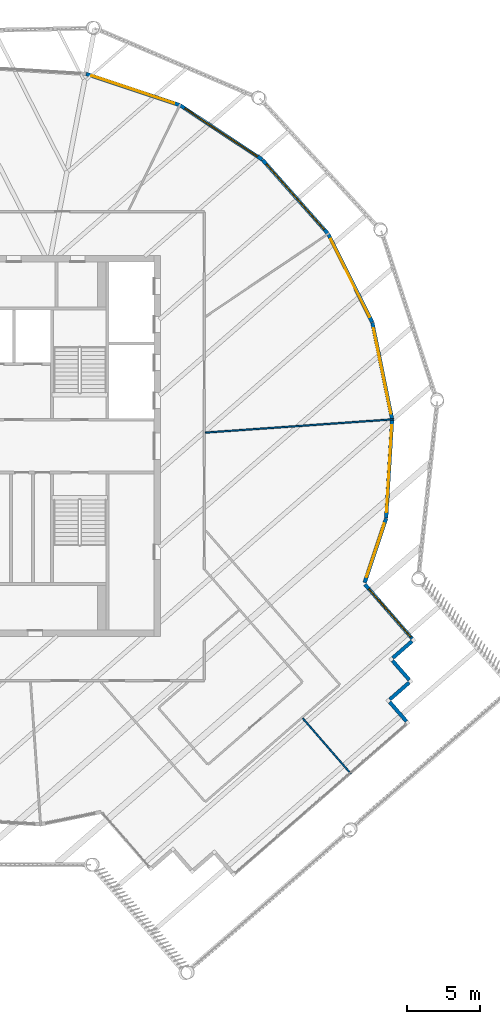
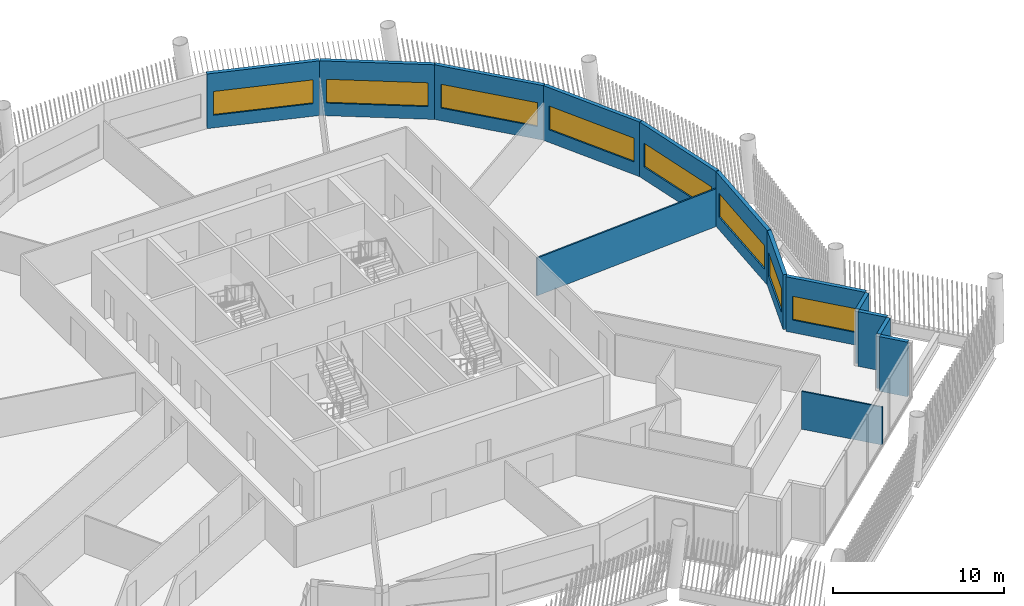
# One storey, part 21 of 28: 14 walls, 8 windows, 8 openings.
"""IFC4 building model written with IfcOpenShell, lengths in metres."""

from ifc_helpers import new_model, si_unit, direction, frame, frame_2d, origin, place, context, subcontext, project, spatial, rectangle, extrude, material, layer, layer_set, type_object, element, fill, save


model = new_model("IFC4")

# Units and contexts
model_context = context("Model", 3, precision=1e-05, world=origin(), true_north=direction((0.0, 1.0)))
body_context = subcontext(model_context, "Body", "Model", "MODEL_VIEW")
ifc_project = project(units=[si_unit("LENGTHUNIT", "METRE"), si_unit("AREAUNIT", "SQUARE_METRE"), si_unit("VOLUMEUNIT", "CUBIC_METRE"), si_unit("PLANEANGLEUNIT", "RADIAN"), si_unit("MASSUNIT", "GRAM", prefix="KILO")], contexts=[model_context])

# Site, building, storey
site_placement = place(None, origin())
site = spatial("IfcSite", under=ifc_project, at=site_placement, CompositionType="ELEMENT")
building_placement = place(site_placement, origin())
building = spatial("IfcBuilding", under=site, at=building_placement, Name="Tarsis Ring Headquarters", CompositionType="ELEMENT")
storey_placement = place(building_placement, frame((0.0, 0.0, 394.39990234375)))
storey = spatial("IfcBuildingStorey", under=building, at=storey_placement, Name="L93", CompositionType="ELEMENT", Elevation=394.39990234375)

# Walls
ifc_material_1 = material(Name="Gypsum board on steel studs", Category="steel")
ifc_layer_1 = layer(ifc_material_1, 0.10009765625)
ifc_layer_set_1 = layer_set([ifc_layer_1], Name="FL partition 100 unrated")
wall_type_1 = type_object("IfcWallType", Name="FL partition 100 unrated", PredefinedType="PARTITIONING", material=ifc_layer_set_1)
wall_1_placement = place(storey_placement, frame((13.06982421875, 0.923095703125, 0.0), z_axis=(0.0, 0.0, 1.0), x_axis=(0.997514921637, 0.07045552577, 0.0)))
element("IfcWall", 1, at=wall_1_placement, inside=storey, type_object=wall_type_1, Name="Partition PW3", PredefinedType="PARTITIONING", context=body_context, shape_type="SweptSolid", body=[
    extrude(rectangle(XDim=12.845458984375, YDim=0.10009765625, at=frame_2d((6.4228515625, 0.0))), origin(), (0.0, 0.0, 1.0), 2.7001953125),
])
wall_2_placement = place(storey_placement, frame((19.708740234375, -18.573974609375, 0.0), z_axis=(0.0, 0.0, 1.0), x_axis=(0.656590843526, -0.754246951732, 0.0)))
element("IfcWall", 2, at=wall_2_placement, inside=storey, type_object=wall_type_1, Name="Partition PW3", PredefinedType="PARTITIONING", context=body_context, shape_type="SweptSolid", body=[
    extrude(rectangle(XDim=5.0, YDim=0.10009765625, at=frame_2d((2.5, 0.0))), origin(), (0.0, 0.0, 1.0), 2.7001953125),
])
ifc_material_2 = material(Name="Terracotta clad insulated panel wall", Category="masonry")
ifc_layer_2 = layer(ifc_material_2, 0.25)
ifc_layer_set_2 = layer_set([ifc_layer_2], Name="Facade wall terracotta panel 250")
wall_type_2 = type_object("IfcWallType", Name="Facade wall terracotta panel 250", PredefinedType="STANDARD", material=ifc_layer_set_2)
for number, where, z_axis, x_axis, name in (
    (3, (26.786376953125, -18.77685546875, 0.0), (0.0, 0.0, 1.0), (-0.656665580884, 0.754181884483, 0.0), "External wall L93-12"),
    (4, (25.6494140625, -17.280517578125, 0.0), (0.0, 0.0, 1.0), (0.754311116274, 0.656517128387, 0.0), "External wall L93-13"),
    (5, (26.981689453125, -15.955078125, 0.0), (0.0, 0.0, 1.0), (-0.656665580884, 0.754181884483, 0.0), "External wall L93-14"),
):
    element("IfcWall", number, at=place(storey_placement, frame(where, z_axis=z_axis, x_axis=x_axis)), inside=storey, type_object=wall_type_2, Name=name, PredefinedType="STANDARD", context=body_context, shape_type="SweptSolid", body=[
        extrude(rectangle(XDim=1.75, YDim=0.25, at=frame_2d((0.875, 0.0))), origin(), (0.0, 0.0, 1.0), 3.900146484375),
    ])
wall_3_placement = place(storey_placement, frame((25.8447265625, -14.458984375, 0.0), z_axis=(0.0, 0.0, 1.0), x_axis=(0.754242032321, 0.656596494569, 0.0)))
element("IfcWall", 6, at=wall_3_placement, inside=storey, type_object=wall_type_2, Name="External wall L93-15", PredefinedType="STANDARD", context=body_context, shape_type="SweptSolid", body=[
    extrude(rectangle(XDim=1.750244140625, YDim=0.25, at=frame_2d((0.875, 0.0))), origin(), (0.0, 0.0, 1.0), 3.900146484375),
])

# Wall, opening, window
wall_4_placement = place(storey_placement, frame((27.177001953125, -13.133544921875, 0.0), z_axis=(0.0, 0.0, 1.0), x_axis=(-0.656576961672, 0.754259036009, 0.0)))
wall_4 = element("IfcWall", 7, at=wall_4_placement, inside=storey, type_object=wall_type_2, Name="External wall L93-16", PredefinedType="STANDARD", context=body_context, shape_type="SweptSolid", body=[
    extrude(rectangle(XDim=4.901123046875, YDim=0.25, at=frame_2d((2.45068359375, 0.0))), origin(), (0.0, 0.0, 1.0), 3.900146484375),
])
opening_1_placement = place(wall_4_placement, frame((0.150634765625, 0.0, 0.89990234375)))
opening_1 = element("IfcOpeningElement", 8, at=opening_1_placement, cuts=wall_4, Name="Opening WN03", PredefinedType="OPENING", context=body_context, shape_type="SweptSolid", body=[
    extrude(rectangle(XDim=4.35009765625, YDim=1.699951171875, at=frame_2d((2.175048828125, 0.85009765625))), frame((0.0, 0.135009765625, 0.0), z_axis=(0.0, -1.0, 0.0), x_axis=(1.0, 0.0, 0.0)), (0.0, 0.0, 1.0), 0.27001953125),
])
ifc_material_3 = material(Name="Aluminium framed double glazing", Category="aluminium")
window_type_1 = type_object("IfcWindowType", Name="Facade window 4350 x 1700", PartitioningType="SINGLE_PANEL", PredefinedType="WINDOW", material=ifc_material_3)
window_1_placement = place(opening_1_placement, origin())
window_1 = element("IfcWindow", 9, at=window_1_placement, inside=storey, type_object=window_type_1, Name="Window L93-16.1", OverallHeight=1.699951171875, OverallWidth=4.35009765625, PartitioningType="SINGLE_PANEL", PredefinedType="WINDOW", context=body_context, shape_type="SweptSolid", body=[
    extrude(rectangle(XDim=4.35009765625, YDim=1.699951171875, at=frame_2d((2.175048828125, 0.85009765625))), frame((0.0, 0.030029296875, 0.0), z_axis=(0.0, -1.0, 0.0), x_axis=(1.0, 0.0, 0.0)), (0.0, 0.0, 1.0), 0.06005859375),
])
fill(opening_1, window_1)

wall_5_placement = place(storey_placement, frame((23.9345703125, -9.31494140625, 0.0), z_axis=(0.0, 0.0, 1.0), x_axis=(0.316640124346, 0.948545745683, 0.0)))
wall_5 = element("IfcWall", 10, at=wall_5_placement, inside=storey, type_object=wall_type_2, Name="External wall L93-17", PredefinedType="STANDARD", context=body_context, shape_type="SweptSolid", body=[
    extrude(rectangle(XDim=4.61767578125, YDim=0.25, at=frame_2d((2.308837890625, 0.0))), origin(), (0.0, 0.0, 1.0), 3.900146484375),
])
opening_2_placement = place(wall_5_placement, frame((0.400390625, 0.0, 0.89990234375)))
opening_2 = element("IfcOpeningElement", 11, at=opening_2_placement, cuts=wall_5, Name="Opening WN02", PredefinedType="OPENING", context=body_context, shape_type="SweptSolid", body=[
    extrude(rectangle(XDim=3.85009765625, YDim=1.699951171875, at=frame_2d((1.925048828125, 0.85009765625))), frame((0.0, 0.135009765625, 0.0), z_axis=(0.0, -1.0, 0.0), x_axis=(1.0, 0.0, 0.0)), (0.0, 0.0, 1.0), 0.27001953125),
])
window_type_2 = type_object("IfcWindowType", Name="Facade window 3850 x 1700", PartitioningType="SINGLE_PANEL", PredefinedType="WINDOW", material=ifc_material_3)
window_2_placement = place(opening_2_placement, origin())
window_2 = element("IfcWindow", 12, at=window_2_placement, inside=storey, type_object=window_type_2, Name="Window L93-17.1", OverallHeight=1.699951171875, OverallWidth=3.85009765625, PartitioningType="SINGLE_PANEL", PredefinedType="WINDOW", context=body_context, shape_type="SweptSolid", body=[
    extrude(rectangle(XDim=3.85009765625, YDim=1.699951171875, at=frame_2d((1.925048828125, 0.85009765625))), frame((0.0, 0.030029296875, 0.0), z_axis=(0.0, -1.0, 0.0), x_axis=(1.0, 0.0, 0.0)), (0.0, 0.0, 1.0), 0.06005859375),
])
fill(opening_2, window_2)

wall_6_placement = place(storey_placement, frame((25.403076171875, -4.90283203125, 0.0), z_axis=(0.0, 0.0, 1.0), x_axis=(0.060331658228, 0.99817838637, 0.0)))
wall_6 = element("IfcWall", 13, at=wall_6_placement, inside=storey, type_object=wall_type_2, Name="External wall L93-18", PredefinedType="STANDARD", context=body_context, shape_type="SweptSolid", body=[
    extrude(rectangle(XDim=6.721435546875, YDim=0.25, at=frame_2d((3.36083984375, 0.0))), origin(), (0.0, 0.0, 1.0), 3.900146484375),
])
opening_3_placement = place(wall_6_placement, frame((0.3857421875, 0.0, 0.89990234375)))
opening_3 = element("IfcOpeningElement", 14, at=opening_3_placement, cuts=wall_6, Name="Opening WN07", PredefinedType="OPENING", context=body_context, shape_type="SweptSolid", body=[
    extrude(rectangle(XDim=5.949951171875, YDim=1.699951171875, at=frame_2d((2.97509765625, 0.85009765625))), frame((0.0, 0.135009765625, 0.0), z_axis=(0.0, -1.0, 0.0), x_axis=(1.0, 0.0, 0.0)), (0.0, 0.0, 1.0), 0.27001953125),
])
window_type_3 = type_object("IfcWindowType", Name="Facade window 5950 x 1700", PartitioningType="SINGLE_PANEL", PredefinedType="WINDOW", material=ifc_material_3)
window_3_placement = place(opening_3_placement, origin())
window_3 = element("IfcWindow", 15, at=window_3_placement, inside=storey, type_object=window_type_3, Name="Window L93-18.1", OverallHeight=1.699951171875, OverallWidth=5.949951171875, PartitioningType="SINGLE_PANEL", PredefinedType="WINDOW", context=body_context, shape_type="SweptSolid", body=[
    extrude(rectangle(XDim=5.949951171875, YDim=1.699951171875, at=frame_2d((2.97509765625, 0.85009765625))), frame((0.0, 0.030029296875, 0.0), z_axis=(0.0, -1.0, 0.0), x_axis=(1.0, 0.0, 0.0)), (0.0, 0.0, 1.0), 0.06005859375),
])
fill(opening_3, window_3)

wall_7_placement = place(storey_placement, frame((25.806396484375, 1.839111328125, 0.0), z_axis=(0.0, 0.0, 1.0), x_axis=(-0.200068181584, 0.979781977134, 0.0)))
wall_7 = element("IfcWall", 16, at=wall_7_placement, inside=storey, type_object=wall_type_2, Name="External wall L93-19", PredefinedType="STANDARD", context=body_context, shape_type="SweptSolid", body=[
    extrude(rectangle(XDim=6.721435546875, YDim=0.25, at=frame_2d((3.36083984375, 0.0))), origin(), (0.0, 0.0, 1.0), 3.900146484375),
])
opening_4_placement = place(wall_7_placement, frame((0.3857421875, 0.0, 0.89990234375)))
opening_4 = element("IfcOpeningElement", 17, at=opening_4_placement, cuts=wall_7, Name="Opening WN07", PredefinedType="OPENING", context=body_context, shape_type="SweptSolid", body=[
    extrude(rectangle(XDim=5.949951171875, YDim=1.699951171875, at=frame_2d((2.97509765625, 0.85009765625))), frame((0.0, 0.135009765625, 0.0), z_axis=(0.0, -1.0, 0.0), x_axis=(1.0, 0.0, 0.0)), (0.0, 0.0, 1.0), 0.27001953125),
])
window_4_placement = place(opening_4_placement, origin())
window_4 = element("IfcWindow", 18, at=window_4_placement, inside=storey, type_object=window_type_3, Name="Window L93-19.1", OverallHeight=1.699951171875, OverallWidth=5.949951171875, PartitioningType="SINGLE_PANEL", PredefinedType="WINDOW", context=body_context, shape_type="SweptSolid", body=[
    extrude(rectangle(XDim=5.949951171875, YDim=1.699951171875, at=frame_2d((2.97509765625, 0.85009765625))), frame((0.0, 0.030029296875, 0.0), z_axis=(0.0, -1.0, 0.0), x_axis=(1.0, 0.0, 0.0)), (0.0, 0.0, 1.0), 0.06005859375),
])
fill(opening_4, window_4)

wall_8_placement = place(storey_placement, frame((24.450927734375, 8.45556640625, 0.0), z_axis=(0.0, 0.0, 1.0), x_axis=(-0.446806733908, 0.89463050615, 0.0)))
wall_8 = element("IfcWall", 19, at=wall_8_placement, inside=storey, type_object=wall_type_2, Name="External wall L93-20", PredefinedType="STANDARD", context=body_context, shape_type="SweptSolid", body=[
    extrude(rectangle(XDim=6.721435546875, YDim=0.25, at=frame_2d((3.36083984375, 0.0))), origin(), (0.0, 0.0, 1.0), 3.900146484375),
])
opening_5_placement = place(wall_8_placement, frame((0.3857421875, 0.0, 0.89990234375)))
opening_5 = element("IfcOpeningElement", 20, at=opening_5_placement, cuts=wall_8, Name="Opening WN07", PredefinedType="OPENING", context=body_context, shape_type="SweptSolid", body=[
    extrude(rectangle(XDim=5.949951171875, YDim=1.699951171875, at=frame_2d((2.97509765625, 0.85009765625))), frame((0.0, 0.135009765625, 0.0), z_axis=(0.0, -1.0, 0.0), x_axis=(1.0, 0.0, 0.0)), (0.0, 0.0, 1.0), 0.27001953125),
])
window_5_placement = place(opening_5_placement, origin())
window_5 = element("IfcWindow", 21, at=window_5_placement, inside=storey, type_object=window_type_3, Name="Window L93-20.1", OverallHeight=1.699951171875, OverallWidth=5.949951171875, PartitioningType="SINGLE_PANEL", PredefinedType="WINDOW", context=body_context, shape_type="SweptSolid", body=[
    extrude(rectangle(XDim=5.949951171875, YDim=1.699951171875, at=frame_2d((2.97509765625, 0.85009765625))), frame((0.0, 0.030029296875, 0.0), z_axis=(0.0, -1.0, 0.0), x_axis=(1.0, 0.0, 0.0)), (0.0, 0.0, 1.0), 0.06005859375),
])
fill(opening_5, window_5)

wall_9_placement = place(storey_placement, frame((21.429443359375, 14.495849609375, 0.0), z_axis=(0.0, 0.0, 1.0), x_axis=(-0.663138756244, 0.748496486275, 0.0)))
wall_9 = element("IfcWall", 22, at=wall_9_placement, inside=storey, type_object=wall_type_2, Name="External wall L93-21", PredefinedType="STANDARD", context=body_context, shape_type="SweptSolid", body=[
    extrude(rectangle(XDim=6.721435546875, YDim=0.25, at=frame_2d((3.36083984375, 0.0))), origin(), (0.0, 0.0, 1.0), 3.900146484375),
])
opening_6_placement = place(wall_9_placement, frame((0.3857421875, 0.0, 0.89990234375)))
opening_6 = element("IfcOpeningElement", 23, at=opening_6_placement, cuts=wall_9, Name="Opening WN07", PredefinedType="OPENING", context=body_context, shape_type="SweptSolid", body=[
    extrude(rectangle(XDim=5.949951171875, YDim=1.699951171875, at=frame_2d((2.97509765625, 0.85009765625))), frame((0.0, 0.135009765625, 0.0), z_axis=(0.0, -1.0, 0.0), x_axis=(1.0, 0.0, 0.0)), (0.0, 0.0, 1.0), 0.27001953125),
])
window_6_placement = place(opening_6_placement, origin())
window_6 = element("IfcWindow", 24, at=window_6_placement, inside=storey, type_object=window_type_3, Name="Window L93-21.1", OverallHeight=1.699951171875, OverallWidth=5.949951171875, PartitioningType="SINGLE_PANEL", PredefinedType="WINDOW", context=body_context, shape_type="SweptSolid", body=[
    extrude(rectangle(XDim=5.949951171875, YDim=1.699951171875, at=frame_2d((2.97509765625, 0.85009765625))), frame((0.0, 0.030029296875, 0.0), z_axis=(0.0, -1.0, 0.0), x_axis=(1.0, 0.0, 0.0)), (0.0, 0.0, 1.0), 0.06005859375),
])
fill(opening_6, window_6)

wall_10_placement = place(storey_placement, frame((16.947509765625, 19.548095703125, 0.0), z_axis=(0.0, 0.0, 1.0), x_axis=(-0.834267597621, 0.551359751486, 0.0)))
wall_10 = element("IfcWall", 25, at=wall_10_placement, inside=storey, type_object=wall_type_2, Name="External wall L93-22", PredefinedType="STANDARD", context=body_context, shape_type="SweptSolid", body=[
    extrude(rectangle(XDim=6.7216796875, YDim=0.25, at=frame_2d((3.36083984375, 0.0))), origin(), (0.0, 0.0, 1.0), 3.900146484375),
])
opening_7_placement = place(wall_10_placement, frame((0.3857421875, 0.0, 0.89990234375)))
opening_7 = element("IfcOpeningElement", 26, at=opening_7_placement, cuts=wall_10, Name="Opening WN07", PredefinedType="OPENING", context=body_context, shape_type="SweptSolid", body=[
    extrude(rectangle(XDim=5.949951171875, YDim=1.699951171875, at=frame_2d((2.97509765625, 0.85009765625))), frame((0.0, 0.135009765625, 0.0), z_axis=(0.0, -1.0, 0.0), x_axis=(1.0, 0.0, 0.0)), (0.0, 0.0, 1.0), 0.27001953125),
])
window_7_placement = place(opening_7_placement, origin())
window_7 = element("IfcWindow", 27, at=window_7_placement, inside=storey, type_object=window_type_3, Name="Window L93-22.1", OverallHeight=1.699951171875, OverallWidth=5.949951171875, PartitioningType="SINGLE_PANEL", PredefinedType="WINDOW", context=body_context, shape_type="SweptSolid", body=[
    extrude(rectangle(XDim=5.949951171875, YDim=1.699951171875, at=frame_2d((2.97509765625, 0.85009765625))), frame((0.0, 0.030029296875, 0.0), z_axis=(0.0, -1.0, 0.0), x_axis=(1.0, 0.0, 0.0)), (0.0, 0.0, 1.0), 0.06005859375),
])
fill(opening_7, window_7)

wall_11_placement = place(storey_placement, frame((11.310546875, 23.2685546875, 0.0), z_axis=(0.0, 0.0, 1.0), x_axis=(-0.948552457275, 0.316620018, 0.0)))
wall_11 = element("IfcWall", 28, at=wall_11_placement, inside=storey, type_object=wall_type_2, Name="External wall L93-23", PredefinedType="STANDARD", context=body_context, shape_type="SweptSolid", body=[
    extrude(rectangle(XDim=6.721435546875, YDim=0.25, at=frame_2d((3.36083984375, 0.0))), origin(), (0.0, 0.0, 1.0), 3.900146484375),
])
opening_8_placement = place(wall_11_placement, frame((0.3857421875, 0.0, 0.89990234375)))
opening_8 = element("IfcOpeningElement", 29, at=opening_8_placement, cuts=wall_11, Name="Opening WN07", PredefinedType="OPENING", context=body_context, shape_type="SweptSolid", body=[
    extrude(rectangle(XDim=5.949951171875, YDim=1.699951171875, at=frame_2d((2.97509765625, 0.85009765625))), frame((0.0, 0.135009765625, 0.0), z_axis=(0.0, -1.0, 0.0), x_axis=(1.0, 0.0, 0.0)), (0.0, 0.0, 1.0), 0.27001953125),
])
window_8_placement = place(opening_8_placement, origin())
window_8 = element("IfcWindow", 30, at=window_8_placement, inside=storey, type_object=window_type_3, Name="Window L93-23.1", OverallHeight=1.699951171875, OverallWidth=5.949951171875, PartitioningType="SINGLE_PANEL", PredefinedType="WINDOW", context=body_context, shape_type="SweptSolid", body=[
    extrude(rectangle(XDim=5.949951171875, YDim=1.699951171875, at=frame_2d((2.97509765625, 0.85009765625))), frame((0.0, 0.030029296875, 0.0), z_axis=(0.0, -1.0, 0.0), x_axis=(1.0, 0.0, 0.0)), (0.0, 0.0, 1.0), 0.06005859375),
])
fill(opening_8, window_8)

save(model, "model.ifc")
